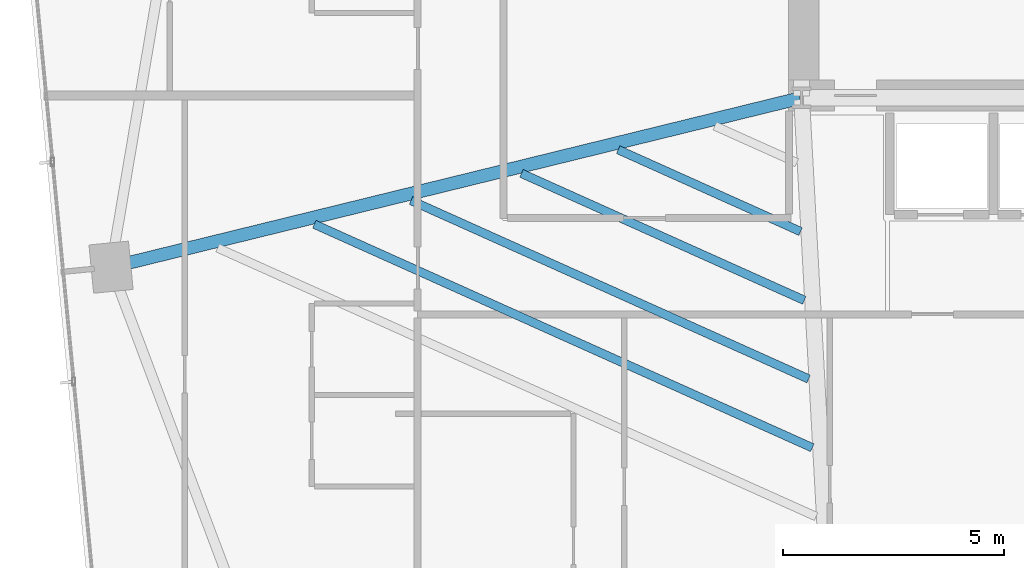
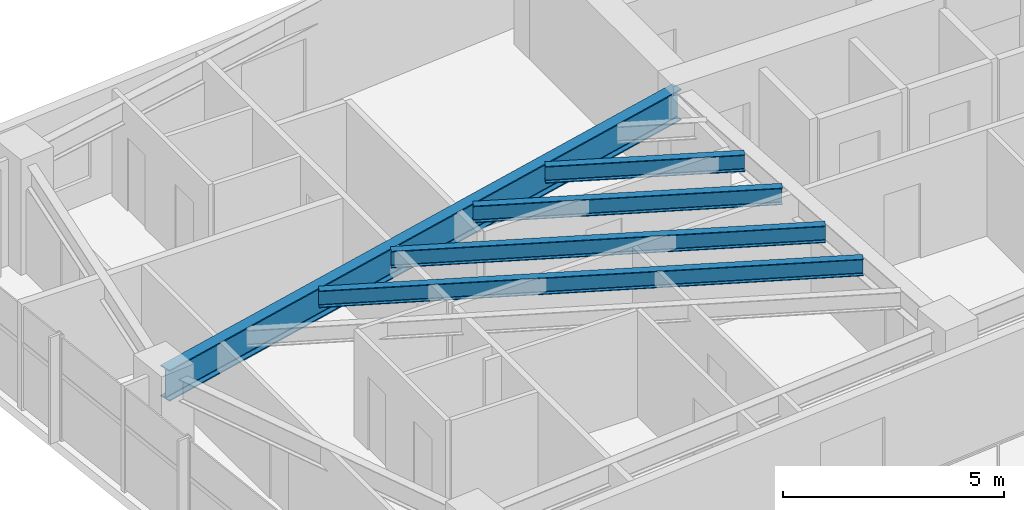
# One storey, part 5 of 27: 5 beams.
"""IFC4 building model written with IfcOpenShell, lengths in metres."""

from ifc_helpers import new_model, si_unit, direction, frame, origin, origin_2d, place, context, subcontext, project, spatial, i_section, extrude, source, transform, mapped, material, material_profile, profile_set, type_object, type_shapes, element, save


model = new_model("IFC4")

# Units and contexts
model_context = context("Model", 3, precision=1e-05, world=origin(), true_north=direction((0.0, 1.0)))
body_context = subcontext(model_context, "Body", "Model", "MODEL_VIEW")
ifc_project = project(units=[si_unit("LENGTHUNIT", "METRE"), si_unit("AREAUNIT", "SQUARE_METRE"), si_unit("VOLUMEUNIT", "CUBIC_METRE"), si_unit("PLANEANGLEUNIT", "RADIAN"), si_unit("MASSUNIT", "GRAM", prefix="KILO")], contexts=[model_context])

# Site, building, storey
site_placement = place(None, origin())
site = spatial("IfcSite", under=ifc_project, at=site_placement, CompositionType="ELEMENT")
building_placement = place(site_placement, origin())
building = spatial("IfcBuilding", under=site, at=building_placement, Name="Astriad Promenade Condominiums", CompositionType="ELEMENT")
storey_placement = place(building_placement, frame((0.0, 0.0, 84.199951171875)))
storey = spatial("IfcBuildingStorey", under=building, at=storey_placement, Name="L23", CompositionType="ELEMENT", Elevation=84.199951171875)

# Beams
ifc_material = material(Name="Steel ASTM A992 Grade 50", Category="steel")
ifc_material_profile_1 = material_profile(ifc_material, i_section(OverallWidth=0.2919921875, OverallDepth=0.85888671875, WebThickness=0.01708984375, FlangeThickness=0.031005859375, FilletRadius=0.02294921875, at=origin_2d()), Name="W33X169")
ifc_profile_set_1 = profile_set([ifc_material_profile_1], Name="Steel ASTM A992 Grade 50")
beam_type_1 = type_object("IfcBeamType", Name="STEEL PRIMARY GIRDER W33X169", PredefinedType="BEAM", material=ifc_profile_set_1)
shared_shape_1 = source(origin(), body_context, "Body", "SweptSolid", [
    extrude(i_section(OverallWidth=0.2919921875, OverallDepth=0.85888671875, WebThickness=0.01708984375, FlangeThickness=0.031005859375, FilletRadius=0.02294921875, at=origin_2d()), origin(), (0.0, 0.0, 1.0), 16.032470703125),
])
type_shapes(beam_type_1, [shared_shape_1])
beam_1_placement = place(storey_placement, frame((10.790283203125, 13.5703125, 2.510498046875), z_axis=(0.971199076901, 0.238269496633, 0.0), x_axis=(-0.238269496633, 0.971199076901, 0.0)))
element("IfcBeam", 1, at=beam_1_placement, inside=storey, type_object=beam_type_1, Name="Primary Floor Girder PG-WM-L23", PredefinedType="BEAM", context=body_context, shape_type="MappedRepresentation", body=[
    mapped(shared_shape_1, transform((0.0, 0.0, 0.0), scale=1.0)),
])
ifc_material_profile_2 = material_profile(ifc_material, i_section(OverallWidth=0.19287109375, OverallDepth=0.466064453125, WebThickness=0.011474609375, FlangeThickness=0.01904296875, FilletRadius=0.01513671875, at=origin_2d()), Name="W18X65")
ifc_profile_set_2 = profile_set([ifc_material_profile_2], Name="Steel ASTM A992 Grade 50")
beam_type_2 = type_object("IfcBeamType", Name="STEEL FLOOR JOIST W18X65", PredefinedType="JOIST", material=ifc_profile_set_2)
shared_shape_2 = source(origin(), body_context, "Body", "SweptSolid", [
    extrude(i_section(OverallWidth=0.19287109375, OverallDepth=0.466064453125, WebThickness=0.011474609375, FlangeThickness=0.01904296875, FilletRadius=0.01513671875, at=origin_2d()), origin(), (0.0, 0.0, 1.0), 12.369140625),
])
beam_2_placement = place(storey_placement, frame((15.35888671875, 14.534423828125, 2.70703125), z_axis=(0.91230851279, -0.409503574454, 0.0), x_axis=(0.409503574454, 0.91230851279, 0.0)))
element("IfcBeam", 2, at=beam_2_placement, inside=storey, type_object=beam_type_2, Name="Secondary Composite Floor Joist JW1-2-L23", PredefinedType="JOIST", context=body_context, shape_type="MappedRepresentation", body=[
    mapped(shared_shape_2, transform((0.0, 0.0, 0.0), scale=1.0)),
])
shared_shape_3 = source(origin(), body_context, "Body", "SweptSolid", [
    extrude(i_section(OverallWidth=0.19287109375, OverallDepth=0.466064453125, WebThickness=0.011474609375, FlangeThickness=0.01904296875, FilletRadius=0.01513671875, at=origin_2d()), origin(), (0.0, 0.0, 1.0), 9.875),
])
beam_3_placement = place(storey_placement, frame((17.549560546875, 15.072021484375, 2.70703125), z_axis=(0.912313833055, -0.409491721549, 0.0), x_axis=(0.409491721549, 0.912313833055, 0.0)))
element("IfcBeam", 3, at=beam_3_placement, inside=storey, type_object=beam_type_2, Name="Secondary Composite Floor Joist JW1-3-L23", PredefinedType="JOIST", context=body_context, shape_type="MappedRepresentation", body=[
    mapped(shared_shape_3, transform((0.0, 0.0, 0.0), scale=1.0)),
])
shared_shape_4 = source(origin(), body_context, "Body", "SweptSolid", [
    extrude(i_section(OverallWidth=0.19287109375, OverallDepth=0.466064453125, WebThickness=0.011474609375, FlangeThickness=0.01904296875, FilletRadius=0.01513671875, at=origin_2d()), origin(), (0.0, 0.0, 1.0), 7.024169921875),
])
beam_4_placement = place(storey_placement, frame((20.053466796875, 15.686279296875, 2.70703125), z_axis=(0.912306106293, -0.409508935703, 0.0), x_axis=(0.409508935703, 0.912306106293, 0.0)))
element("IfcBeam", 4, at=beam_4_placement, inside=storey, type_object=beam_type_2, Name="Secondary Composite Floor Joist JW1-4-L23", PredefinedType="JOIST", context=body_context, shape_type="MappedRepresentation", body=[
    mapped(shared_shape_4, transform((0.0, 0.0, 0.0), scale=1.0)),
])
shared_shape_5 = source(origin(), body_context, "Body", "SweptSolid", [
    extrude(i_section(OverallWidth=0.19287109375, OverallDepth=0.466064453125, WebThickness=0.011474609375, FlangeThickness=0.01904296875, FilletRadius=0.01513671875, at=origin_2d()), origin(), (0.0, 0.0, 1.0), 4.52978515625),
])
type_shapes(beam_type_2, [shared_shape_2, shared_shape_3, shared_shape_4, shared_shape_5])
beam_5_placement = place(storey_placement, frame((22.244140625, 16.2236328125, 2.70703125), z_axis=(0.912307341368, -0.409506184186, 0.0), x_axis=(0.409506184186, 0.912307341368, 0.0)))
element("IfcBeam", 5, at=beam_5_placement, inside=storey, type_object=beam_type_2, Name="Secondary Composite Floor Joist JW1-5-L23", PredefinedType="JOIST", context=body_context, shape_type="MappedRepresentation", body=[
    mapped(shared_shape_5, transform((0.0, 0.0, 0.0), scale=1.0)),
])

save(model, "model.ifc")
